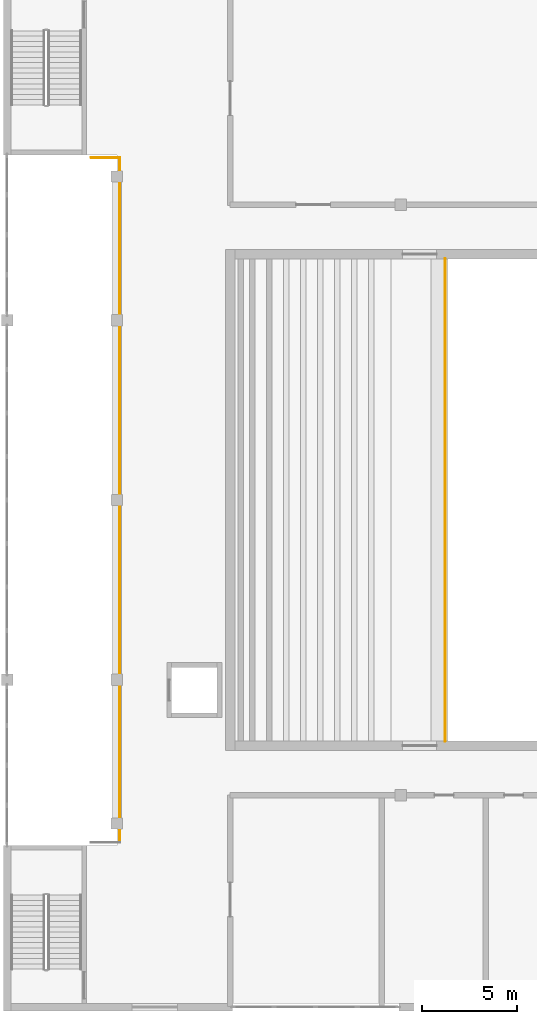
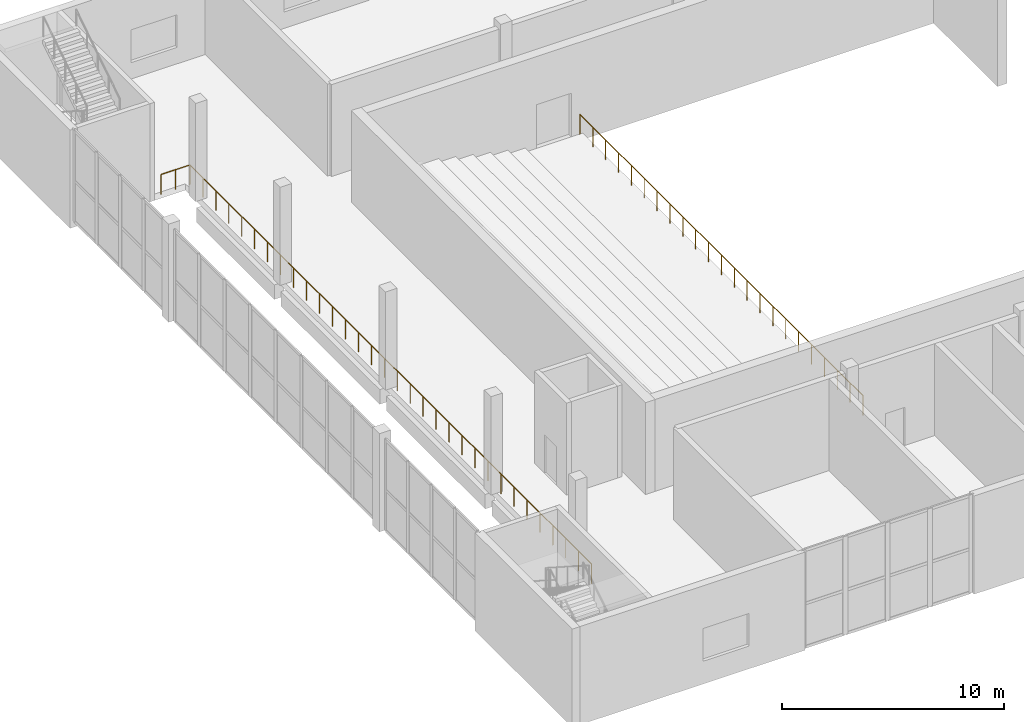
# One storey, part 39 of 43: 3 railings.
"""IFC4 building model written with IfcOpenShell, lengths in metres."""

import ifcopenshell
import ifcopenshell.guid

model = None  # the IFC model being written
_history = None  # IfcOwnerHistory: only IFC2X3 demands one
_inside = {}  # id of a spatial element -> (the spatial element, [elements in it])
_under = {}  # id of a project, library or spatial element -> (it, [spatial elements below it])
_declared = {}  # id of a project -> (the project, [libraries it declares])
_typed = {}  # id of a type object -> (the type object, [elements of that type])
_made_of = {}  # id of a material, layer set ... -> (it, [elements and type objects made of it])


def new_model(schema):
    """Start an empty IFC model of exactly this schema.

    Asked for "IFC4X3", IfcOpenShell would pick the latest addendum, in which some entities
    have other attributes; the version numbers below select the first issue.
    IFC2X3 requires an IfcOwnerHistory on every rooted entity: one is made here for all.
    """
    global model, _history
    if schema == "IFC4X3":
        model = ifcopenshell.file(schema_version=(4, 3, 0, 0))
    else:
        model = ifcopenshell.file(schema=schema)
    _inside.clear()
    _under.clear()
    _declared.clear()
    _typed.clear()
    _made_of.clear()
    _history = None
    if model.schema == "IFC2X3":
        org = make("IfcOrganization", Name="unknown")
        user = make(
            "IfcPersonAndOrganization",
            ThePerson=make("IfcPerson", FamilyName="unknown"),
            TheOrganization=org,
        )
        app = make(
            "IfcApplication",
            ApplicationDeveloper=org,
            Version="unknown",
            ApplicationFullName="unknown",
            ApplicationIdentifier="unknown",
        )
        _history = make(
            "IfcOwnerHistory",
            OwningUser=user,
            OwningApplication=app,
            ChangeAction="ADDED",
            CreationDate=0,
        )
    return model


def make(cls, **values):
    """One entity of the class cls with the attributes given. An attribute that is None is left unset."""
    return model.create_entity(
        cls, **{name: value for name, value in values.items() if value is not None}
    )


def rooted(cls, **values):
    """An entity with a GlobalId (a new one), such as an element, a storey or a relation."""
    return make(cls, GlobalId=ifcopenshell.guid.new(), OwnerHistory=_history, **values)


def si_unit(unit_type, name, prefix=None):
    """IfcSIUnit, for example si_unit("LENGTHUNIT", "METRE", prefix="MILLI")."""
    return make("IfcSIUnit", UnitType=unit_type, Prefix=prefix, Name=name)


def assignment(units):
    """IfcUnitAssignment: the units of a project."""
    return None if units is None else make("IfcUnitAssignment", Units=units)


def point(xyz):
    """IfcCartesianPoint."""
    return None if xyz is None else make("IfcCartesianPoint", Coordinates=xyz)


def direction(xyz):
    """IfcDirection."""
    return None if xyz is None else make("IfcDirection", DirectionRatios=xyz)


def frame(location, z_axis=None, x_axis=None):
    """IfcAxis2Placement3D, a coordinate frame: its origin and axes. An axis left out is left unset."""
    return make(
        "IfcAxis2Placement3D",
        Location=point(location),
        Axis=direction(z_axis),
        RefDirection=direction(x_axis),
    )


def frame_2d(location, x_axis=None):
    """IfcAxis2Placement2D, a coordinate frame in the plane: its origin and x axis."""
    return make(
        "IfcAxis2Placement2D", Location=point(location), RefDirection=direction(x_axis)
    )


def origin():
    """The frame at (0, 0, 0) with its axes left unset."""
    return frame((0.0, 0.0, 0.0))


def origin_2d():
    """The frame at (0, 0) in the plane with its x axis left unset."""
    return frame_2d((0.0, 0.0))


def place(relative_to, where):
    """IfcLocalPlacement: puts the frame where relative to a parent placement (None: the world)."""
    return make(
        "IfcLocalPlacement", PlacementRelTo=relative_to, RelativePlacement=where
    )


def context(
    kind, dimensions, precision=None, world=None, true_north=None, identifier=None
):
    """IfcGeometricRepresentationContext, for example the 3D "Model" context."""
    return make(
        "IfcGeometricRepresentationContext",
        ContextIdentifier=identifier,
        ContextType=kind,
        CoordinateSpaceDimension=dimensions,
        Precision=precision,
        WorldCoordinateSystem=world,
        TrueNorth=true_north,
    )


def subcontext(parent, identifier, kind, view, scale=None):
    """IfcGeometricRepresentationSubContext, for example "Body" below "Model"."""
    return make(
        "IfcGeometricRepresentationSubContext",
        ContextIdentifier=identifier,
        ContextType=kind,
        ParentContext=parent,
        TargetScale=scale,
        TargetView=view,
    )


def project(units=None, contexts=None):
    """IfcProject with its units and contexts."""
    return rooted(
        "IfcProject",
        Name="project",
        RepresentationContexts=contexts,
        UnitsInContext=assignment(units),
    )


def spatial(cls, under=None, at=None, **own):
    """A site, building, storey or space (cls), placed at a placement, below another one or the project."""
    s = rooted(cls, ObjectPlacement=at, **own)
    if under is not None:
        _under.setdefault(under.id(), (under, []))[1].append(s)
    return s


def profile(cls, at=None, kind="AREA", **sizes):
    """A parametric profile (cls). Its sizes go by their IFC names, for example OverallWidth=200.0."""
    return make(cls, ProfileType=kind, Position=at, **sizes)


def circle(**sizes):
    """IfcCircleProfileDef."""
    return profile("IfcCircleProfileDef", **sizes)


def extrude(swept, where, along, depth):
    """IfcExtrudedAreaSolid: the profile swept, set in the frame where, extruded along a direction by depth."""
    return make(
        "IfcExtrudedAreaSolid",
        SweptArea=swept,
        Position=where,
        ExtrudedDirection=direction(along),
        Depth=depth,
    )


def shape(context_of_items, identifier, shape_type, items):
    """IfcShapeRepresentation: the items that make up one representation, for example the "Body"."""
    return make(
        "IfcShapeRepresentation",
        ContextOfItems=context_of_items,
        RepresentationIdentifier=identifier,
        RepresentationType=shape_type,
        Items=items,
    )


def material(Name=None, Category=None):
    """IfcMaterial."""
    return make("IfcMaterial", Name=Name, Category=Category)


def made_of(thing, what):
    """Note that an element or type object is made of a material, layer set ...; save() writes the relation."""
    if what is not None:
        _made_of.setdefault(what.id(), (what, []))[1].append(thing)
    return thing


def type_object(cls, material=None, **own):
    """A type object (cls), such as IfcWallType, which elements share."""
    return made_of(rooted(cls, **own), material)


def element(
    cls,
    number,
    at=None,
    inside=None,
    cuts=None,
    type_object=None,
    material=None,
    context=None,
    identifier="Body",
    shape_type=None,
    held_by="IfcProductDefinitionShape",
    body=None,
    shapes=None,
    **own,
):
    """One element of the class cls, such as IfcWall. Its Tag is "e" and its number.

    at: its placement. inside: the storey or other place that contains it. cuts: it is an
    opening in that element (IfcRelVoidsElement). A single representation is given by context,
    identifier, shape_type and body (its items); several are given by shapes. held_by: the class
    of the entity that holds the representations. save() writes the other relations.
    """
    e = rooted(cls, Tag="e%d" % number, ObjectPlacement=at, **own)
    if body is not None:
        shapes = [shape(context, identifier, shape_type, body)]
    if shapes is not None:
        e.Representation = make(held_by, Representations=shapes)
    if inside is not None:
        _inside.setdefault(inside.id(), (inside, []))[1].append(e)
    if cuts is not None:
        rooted(
            "IfcRelVoidsElement", RelatingBuildingElement=cuts, RelatedOpeningElement=e
        )
    if type_object is not None:
        _typed.setdefault(type_object.id(), (type_object, []))[1].append(e)
    return made_of(e, material)


def aggregate(whole, parts):
    """IfcRelAggregates: a whole, such as a stair, and the parts it consists of."""
    return rooted("IfcRelAggregates", RelatingObject=whole, RelatedObjects=parts)


def save(model, path):
    """Write the relations noted so far, then the file.

    IfcRelAggregates (storeys below a building ...), IfcRelContainedInSpatialStructure (elements
    in a storey), IfcRelDefinesByType, IfcRelAssociatesMaterial and IfcRelDeclares: one each for
    every whole, place, type object, material and project.
    """
    for whole, parts in _under.values():
        aggregate(whole, parts)
    for where, things in _inside.values():
        rooted(
            "IfcRelContainedInSpatialStructure",
            RelatedElements=things,
            RelatingStructure=where,
        )
    for kind, things in _typed.values():
        rooted("IfcRelDefinesByType", RelatedObjects=things, RelatingType=kind)
    for what, things in _made_of.values():
        rooted("IfcRelAssociatesMaterial", RelatedObjects=things, RelatingMaterial=what)
    for by, libraries in _declared.values():
        rooted("IfcRelDeclares", RelatingContext=by, RelatedDefinitions=libraries)
    model.write(path)


model = new_model("IFC4")

# Units and contexts
model_context = context("Model", 3, precision=1e-05, world=origin(), true_north=direction((0.0, 1.0)))
body_context = subcontext(model_context, "Body", "Model", "MODEL_VIEW")
ifc_project = project(units=[si_unit("LENGTHUNIT", "METRE"), si_unit("AREAUNIT", "SQUARE_METRE"), si_unit("VOLUMEUNIT", "CUBIC_METRE"), si_unit("PLANEANGLEUNIT", "RADIAN"), si_unit("MASSUNIT", "GRAM", prefix="KILO")], contexts=[model_context])

# Site, building, storey
site_placement = place(None, origin())
site = spatial("IfcSite", under=ifc_project, at=site_placement, CompositionType="ELEMENT")
building_placement = place(site_placement, origin())
building = spatial("IfcBuilding", under=site, at=building_placement, Name="Hunhe Ridgeline Campus", CompositionType="ELEMENT")
storey_placement = place(building_placement, frame((0.0, 0.0, 11.39990234375)))
storey = spatial("IfcBuildingStorey", under=building, at=storey_placement, Name="L02", CompositionType="ELEMENT", Elevation=11.39990234375)

# Railings
ifc_material = material(Name="Glass and steel", Category="steel")
railing_type = type_object("IfcRailingType", Name="Hall glass guard 1100", PredefinedType="GUARDRAIL", material=ifc_material)
railing_1_placement = place(storey_placement, frame((173.35009765625, 36.75, 0.0)))
element("IfcRailing", 1, at=railing_1_placement, inside=storey, type_object=railing_type, Name="Circle tier 2 front guard", PredefinedType="GUARDRAIL", context=body_context, shape_type="SweptSolid", body=[
    extrude(circle(Radius=0.02392578125, at=origin_2d()), frame((0.0, 0.0, 1.076171875), z_axis=(0.0, 1.0, 0.0), x_axis=(-1.0, 0.0, 0.0)), (0.0, 0.0, 1.0), 25.5),
    extrude(circle(Radius=0.02099609375, at=origin_2d()), origin(), (0.0, 0.0, 1.0), 1.052001953125),
    extrude(circle(Radius=0.02099609375, at=origin_2d()), frame((0.0, 1.1591796875, 0.0)), (0.0, 0.0, 1.0), 1.052001953125),
    extrude(circle(Radius=0.02099609375, at=origin_2d()), frame((0.0, 2.318115234375, 0.0)), (0.0, 0.0, 1.0), 1.052001953125),
    extrude(circle(Radius=0.02099609375, at=origin_2d()), frame((0.0, 3.477294921875, 0.0)), (0.0, 0.0, 1.0), 1.052001953125),
    extrude(circle(Radius=0.02099609375, at=origin_2d()), frame((0.0, 4.636474609375, 0.0)), (0.0, 0.0, 1.0), 1.052001953125),
    extrude(circle(Radius=0.02099609375, at=origin_2d()), frame((0.0, 5.79541015625, 0.0)), (0.0, 0.0, 1.0), 1.052001953125),
    extrude(circle(Radius=0.02099609375, at=origin_2d()), frame((0.0, 6.95458984375, 0.0)), (0.0, 0.0, 1.0), 1.052001953125),
    extrude(circle(Radius=0.02099609375, at=origin_2d()), frame((0.0, 8.113525390625, 0.0)), (0.0, 0.0, 1.0), 1.052001953125),
    extrude(circle(Radius=0.02099609375, at=origin_2d()), frame((0.0, 9.272705078125, 0.0)), (0.0, 0.0, 1.0), 1.052001953125),
    extrude(circle(Radius=0.02099609375, at=origin_2d()), frame((0.0, 10.431884765625, 0.0)), (0.0, 0.0, 1.0), 1.052001953125),
    extrude(circle(Radius=0.02099609375, at=origin_2d()), frame((0.0, 11.5908203125, 0.0)), (0.0, 0.0, 1.0), 1.052001953125),
    extrude(circle(Radius=0.02099609375, at=origin_2d()), frame((0.0, 12.75, 0.0)), (0.0, 0.0, 1.0), 1.052001953125),
    extrude(circle(Radius=0.02099609375, at=origin_2d()), frame((0.0, 13.9091796875, 0.0)), (0.0, 0.0, 1.0), 1.052001953125),
    extrude(circle(Radius=0.02099609375, at=origin_2d()), frame((0.0, 15.068115234375, 0.0)), (0.0, 0.0, 1.0), 1.052001953125),
    extrude(circle(Radius=0.02099609375, at=origin_2d()), frame((0.0, 16.227294921875, 0.0)), (0.0, 0.0, 1.0), 1.052001953125),
    extrude(circle(Radius=0.02099609375, at=origin_2d()), frame((0.0, 17.386474609375, 0.0)), (0.0, 0.0, 1.0), 1.052001953125),
    extrude(circle(Radius=0.02099609375, at=origin_2d()), frame((0.0, 18.54541015625, 0.0)), (0.0, 0.0, 1.0), 1.052001953125),
    extrude(circle(Radius=0.02099609375, at=origin_2d()), frame((0.0, 19.70458984375, 0.0)), (0.0, 0.0, 1.0), 1.052001953125),
    extrude(circle(Radius=0.02099609375, at=origin_2d()), frame((0.0, 20.863525390625, 0.0)), (0.0, 0.0, 1.0), 1.052001953125),
    extrude(circle(Radius=0.02099609375, at=origin_2d()), frame((0.0, 22.022705078125, 0.0)), (0.0, 0.0, 1.0), 1.052001953125),
    extrude(circle(Radius=0.02099609375, at=origin_2d()), frame((0.0, 23.181884765625, 0.0)), (0.0, 0.0, 1.0), 1.052001953125),
    extrude(circle(Radius=0.02099609375, at=origin_2d()), frame((0.0, 24.3408203125, 0.0)), (0.0, 0.0, 1.0), 1.052001953125),
    extrude(circle(Radius=0.02099609375, at=origin_2d()), frame((0.0, 25.5, 0.0)), (0.0, 0.0, 1.0), 1.052001953125),
])
railing_2_placement = place(storey_placement, frame((156.14990234375, 31.39990234375, 0.0)))
element("IfcRailing", 2, at=railing_2_placement, inside=storey, type_object=railing_type, Name="L02 atrium guard east", PredefinedType="GUARDRAIL", context=body_context, shape_type="SweptSolid", body=[
    extrude(circle(Radius=0.02392578125, at=origin_2d()), frame((0.0, 0.0, 1.076171875), z_axis=(0.0, 1.0, 0.0), x_axis=(-1.0, 0.0, 0.0)), (0.0, 0.0, 1.0), 36.2001953125),
    extrude(circle(Radius=0.02099609375, at=origin_2d()), origin(), (0.0, 0.0, 1.0), 1.052001953125),
    extrude(circle(Radius=0.02099609375, at=origin_2d()), frame((0.0, 1.167724609375, 0.0)), (0.0, 0.0, 1.0), 1.052001953125),
    extrude(circle(Radius=0.02099609375, at=origin_2d()), frame((0.0, 2.33544921875, 0.0)), (0.0, 0.0, 1.0), 1.052001953125),
    extrude(circle(Radius=0.02099609375, at=origin_2d()), frame((0.0, 3.503173828125, 0.0)), (0.0, 0.0, 1.0), 1.052001953125),
    extrude(circle(Radius=0.02099609375, at=origin_2d()), frame((0.0, 4.6708984375, 0.0)), (0.0, 0.0, 1.0), 1.052001953125),
    extrude(circle(Radius=0.02099609375, at=origin_2d()), frame((0.0, 5.838623046875, 0.0)), (0.0, 0.0, 1.0), 1.052001953125),
    extrude(circle(Radius=0.02099609375, at=origin_2d()), frame((0.0, 7.006591796875, 0.0)), (0.0, 0.0, 1.0), 1.052001953125),
    extrude(circle(Radius=0.02099609375, at=origin_2d()), frame((0.0, 8.17431640625, 0.0)), (0.0, 0.0, 1.0), 1.052001953125),
    extrude(circle(Radius=0.02099609375, at=origin_2d()), frame((0.0, 9.342041015625, 0.0)), (0.0, 0.0, 1.0), 1.052001953125),
    extrude(circle(Radius=0.02099609375, at=origin_2d()), frame((0.0, 10.509765625, 0.0)), (0.0, 0.0, 1.0), 1.052001953125),
    extrude(circle(Radius=0.02099609375, at=origin_2d()), frame((0.0, 11.677490234375, 0.0)), (0.0, 0.0, 1.0), 1.052001953125),
    extrude(circle(Radius=0.02099609375, at=origin_2d()), frame((0.0, 12.84521484375, 0.0)), (0.0, 0.0, 1.0), 1.052001953125),
    extrude(circle(Radius=0.02099609375, at=origin_2d()), frame((0.0, 14.012939453125, 0.0)), (0.0, 0.0, 1.0), 1.052001953125),
    extrude(circle(Radius=0.02099609375, at=origin_2d()), frame((0.0, 15.1806640625, 0.0)), (0.0, 0.0, 1.0), 1.052001953125),
    extrude(circle(Radius=0.02099609375, at=origin_2d()), frame((0.0, 16.348388671875, 0.0)), (0.0, 0.0, 1.0), 1.052001953125),
    extrude(circle(Radius=0.02099609375, at=origin_2d()), frame((0.0, 17.51611328125, 0.0)), (0.0, 0.0, 1.0), 1.052001953125),
    extrude(circle(Radius=0.02099609375, at=origin_2d()), frame((0.0, 18.68408203125, 0.0)), (0.0, 0.0, 1.0), 1.052001953125),
    extrude(circle(Radius=0.02099609375, at=origin_2d()), frame((0.0, 19.851806640625, 0.0)), (0.0, 0.0, 1.0), 1.052001953125),
    extrude(circle(Radius=0.02099609375, at=origin_2d()), frame((0.0, 21.01953125, 0.0)), (0.0, 0.0, 1.0), 1.052001953125),
    extrude(circle(Radius=0.02099609375, at=origin_2d()), frame((0.0, 22.187255859375, 0.0)), (0.0, 0.0, 1.0), 1.052001953125),
    extrude(circle(Radius=0.02099609375, at=origin_2d()), frame((0.0, 23.35498046875, 0.0)), (0.0, 0.0, 1.0), 1.052001953125),
    extrude(circle(Radius=0.02099609375, at=origin_2d()), frame((0.0, 24.522705078125, 0.0)), (0.0, 0.0, 1.0), 1.052001953125),
    extrude(circle(Radius=0.02099609375, at=origin_2d()), frame((0.0, 25.6904296875, 0.0)), (0.0, 0.0, 1.0), 1.052001953125),
    extrude(circle(Radius=0.02099609375, at=origin_2d()), frame((0.0, 26.858154296875, 0.0)), (0.0, 0.0, 1.0), 1.052001953125),
    extrude(circle(Radius=0.02099609375, at=origin_2d()), frame((0.0, 28.02587890625, 0.0)), (0.0, 0.0, 1.0), 1.052001953125),
    extrude(circle(Radius=0.02099609375, at=origin_2d()), frame((0.0, 29.193603515625, 0.0)), (0.0, 0.0, 1.0), 1.052001953125),
    extrude(circle(Radius=0.02099609375, at=origin_2d()), frame((0.0, 30.361572265625, 0.0)), (0.0, 0.0, 1.0), 1.052001953125),
    extrude(circle(Radius=0.02099609375, at=origin_2d()), frame((0.0, 31.529296875, 0.0)), (0.0, 0.0, 1.0), 1.052001953125),
    extrude(circle(Radius=0.02099609375, at=origin_2d()), frame((0.0, 32.697021484375, 0.0)), (0.0, 0.0, 1.0), 1.052001953125),
    extrude(circle(Radius=0.02099609375, at=origin_2d()), frame((0.0, 33.86474609375, 0.0)), (0.0, 0.0, 1.0), 1.052001953125),
    extrude(circle(Radius=0.02099609375, at=origin_2d()), frame((0.0, 35.032470703125, 0.0)), (0.0, 0.0, 1.0), 1.052001953125),
    extrude(circle(Radius=0.02099609375, at=origin_2d()), frame((0.0, 36.2001953125, 0.0)), (0.0, 0.0, 1.0), 1.052001953125),
])
railing_3_placement = place(storey_placement, frame((154.64990234375, 67.60009765625, 0.0)))
element("IfcRailing", 3, at=railing_3_placement, inside=storey, type_object=railing_type, Name="L02 atrium guard north", PredefinedType="GUARDRAIL", context=body_context, shape_type="SweptSolid", body=[
    extrude(circle(Radius=0.02392578125, at=origin_2d()), frame((0.0, 0.0, 1.076171875), z_axis=(1.0, 0.0, 0.0), x_axis=(0.0, 1.0, 0.0)), (0.0, 0.0, 1.0), 1.5),
    extrude(circle(Radius=0.02099609375, at=origin_2d()), origin(), (0.0, 0.0, 1.0), 1.052001953125),
    extrude(circle(Radius=0.02099609375, at=origin_2d()), frame((0.75, 0.0, 0.0)), (0.0, 0.0, 1.0), 1.052001953125),
    extrude(circle(Radius=0.02099609375, at=origin_2d()), frame((1.5, 0.0, 0.0)), (0.0, 0.0, 1.0), 1.052001953125),
])

save(model, "model.ifc")
